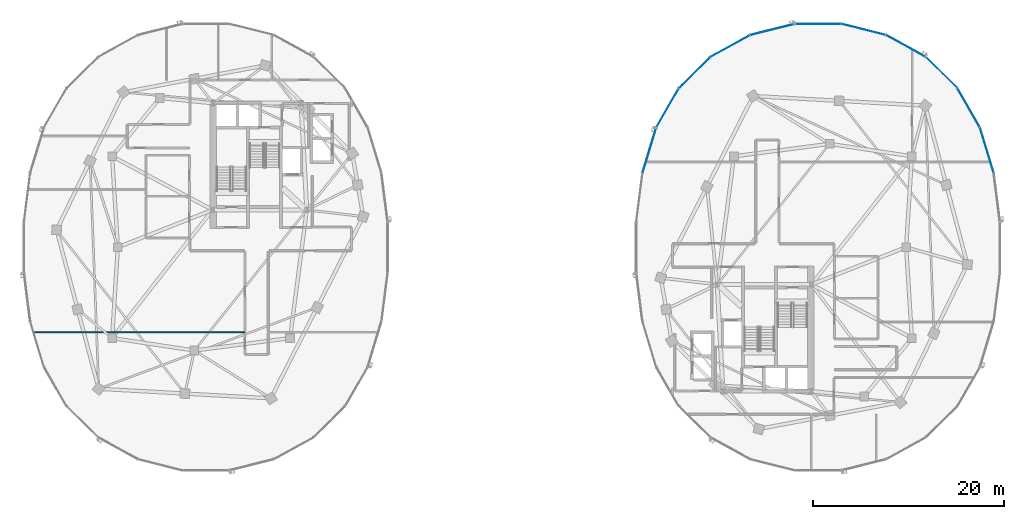
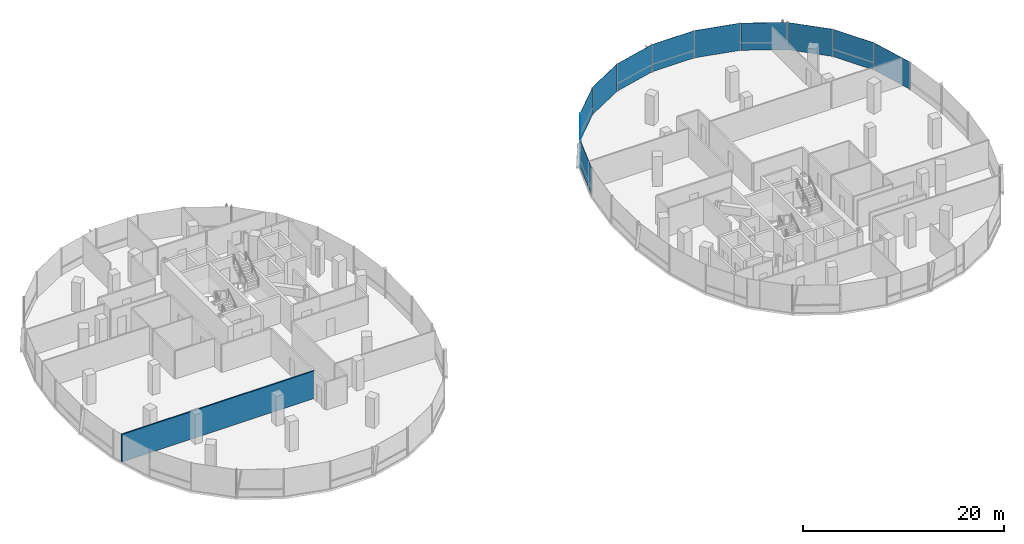
# One storey, part 11 of 22: 11 plates, 1 wall, 2 elements without a shape of their own.
"""IFC4 building model written with IfcOpenShell, lengths in metres."""

from ifc_helpers import new_model, si_unit, direction, frame, frame_2d, origin, origin_2d, place, context, subcontext, project, spatial, rectangle, extrude, material, layer, layer_set, type_object, element, aggregate, save


model = new_model("IFC4")

# Units and contexts
model_context = context("Model", 3, precision=1e-05, world=origin(), true_north=direction((0.0, 1.0)))
body_context = subcontext(model_context, "Body", "Model", "MODEL_VIEW")
ifc_project = project(units=[si_unit("LENGTHUNIT", "METRE"), si_unit("AREAUNIT", "SQUARE_METRE"), si_unit("VOLUMEUNIT", "CUBIC_METRE"), si_unit("PLANEANGLEUNIT", "RADIAN"), si_unit("MASSUNIT", "GRAM", prefix="KILO"), si_unit("THERMODYNAMICTEMPERATUREUNIT", "KELVIN"), si_unit("POWERUNIT", "WATT")], contexts=[model_context])

# Site, building, storey
site_placement = place(None, origin())
site = spatial("IfcSite", under=ifc_project, at=site_placement, CompositionType="ELEMENT")
building_placement = place(site_placement, origin())
building = spatial("IfcBuilding", under=site, at=building_placement, Name="Cundina Bronze Exchange", CompositionType="ELEMENT")
storey_placement = place(building_placement, frame((0.0, 0.0, 162.0)))
storey = spatial("IfcBuildingStorey", under=building, at=storey_placement, Name="L42", CompositionType="ELEMENT", Elevation=162.0)

# Curtain wall, plates
ifc_material_1 = material(Name="Anodised Bronze Aluminium 6063-T6", Category="aluminium")
curtain_wall_type = type_object("IfcCurtainWallType", Name="CWS-WST-PIN", PredefinedType="NOTDEFINED", material=ifc_material_1)
curtain_wall_1_placement = place(storey_placement, origin())
curtain_wall_1 = element("IfcCurtainWall", 1, at=curtain_wall_1_placement, inside=storey, type_object=curtain_wall_type, Name="L42 CW-04 Curtain Wall Run CWR-L42-E1", PredefinedType="NOTDEFINED")
ifc_material_2 = material(Name="Heat-Strengthened Solar-Control Bronze Safety Glass 28mm", Category="glass")
ifc_layer_1 = layer(ifc_material_2, 0.028076171875, Name="Heat-Strengthened Solar-Control Bronze Safety Glass 28mm", Category="glass")
ifc_layer_set_1 = layer_set([ifc_layer_1], Name="Heat-Strengthened Solar-Control Bronze Safety Glass 28mm")
plate_type_1 = type_object("IfcPlateType", Name="PLT-GLZ-VIS28", PredefinedType="CURTAIN_PANEL", material=ifc_layer_set_1)
plate_1_placement = place(storey_placement, frame((49.63330078125, 10.14208984375, 0.02001953125), z_axis=(0.0, 0.0, 1.0), x_axis=(-0.290050843957, 0.957011237092, 0.0)))
plate_1 = element("IfcPlate", 2, at=plate_1_placement, type_object=plate_type_1, Name="CW-04 Glazed Panel 2", PredefinedType="CURTAIN_PANEL", context=body_context, shape_type="SweptSolid", body=[
    extrude(rectangle(XDim=4.885009765625, YDim=0.028076171875, at=origin_2d()), origin(), (0.0, 0.0, 1.0), 3.320068359375),
])
plate_2_placement = place(storey_placement, frame((44.894775390625, 18.253662109375, 0.02001953125), z_axis=(0.0, 0.0, 1.0), x_axis=(-0.711989280367, 0.702190333629, 0.0)))
plate_2 = element("IfcPlate", 3, at=plate_2_placement, type_object=plate_type_1, Name="CW-04 Glazed Panel 4", PredefinedType="CURTAIN_PANEL", context=body_context, shape_type="SweptSolid", body=[
    extrude(rectangle(XDim=4.6025390625, YDim=0.028076171875, at=origin_2d()), origin(), (0.0, 0.0, 1.0), 3.320068359375),
])
plate_3_placement = place(storey_placement, frame((41.16845703125, 21.02880859375, 0.02001953125), z_axis=(0.0, 0.0, 1.0), x_axis=(-0.875869093438, 0.482548786301, 0.0)))
plate_3 = element("IfcPlate", 4, at=plate_3_placement, type_object=plate_type_1, Name="CW-04 Glazed Panel 5", PredefinedType="CURTAIN_PANEL", context=body_context, shape_type="SweptSolid", body=[
    extrude(rectangle(XDim=4.661865234375, YDim=0.028076171875, at=origin_2d()), origin(), (0.0, 0.0, 1.0), 3.320068359375),
])
plate_4_placement = place(storey_placement, frame((36.76513671875, 22.75244140625, 0.02001953125), z_axis=(0.0, 0.0, 1.0), x_axis=(-0.970092713791, 0.242734683656, 0.0)))
plate_4 = element("IfcPlate", 5, at=plate_4_placement, type_object=plate_type_1, Name="CW-04 Glazed Panel 6", PredefinedType="CURTAIN_PANEL", context=body_context, shape_type="SweptSolid", body=[
    extrude(rectangle(XDim=4.7548828125, YDim=0.028076171875, at=origin_2d()), origin(), (0.0, 0.0, 1.0), 3.320068359375),
])
plate_5_placement = place(storey_placement, frame((32.0, 23.3369140625, 0.02001953125), z_axis=(0.0, 0.0, 1.0), x_axis=(-1.0, 0.0, 0.0)))
plate_5 = element("IfcPlate", 6, at=plate_5_placement, type_object=plate_type_1, Name="CW-04 Glazed Panel 7", PredefinedType="CURTAIN_PANEL", context=body_context, shape_type="SweptSolid", body=[
    extrude(rectangle(XDim=4.7958984375, YDim=0.028076171875, at=origin_2d()), origin(), (0.0, 0.0, 1.0), 3.320068359375),
])

curtain_wall_2_placement = place(storey_placement, origin())
curtain_wall_2 = element("IfcCurtainWall", 7, at=curtain_wall_2_placement, inside=storey, type_object=curtain_wall_type, Name="L42 CW-04 Curtain Wall Run CWR-L42-E2", PredefinedType="NOTDEFINED")
plate_6_placement = place(storey_placement, frame((27.23486328125, 22.75244140625, 0.02001953125), z_axis=(0.0, 0.0, 1.0), x_axis=(-0.970092713791, -0.242734683656, 0.0)))
plate_6 = element("IfcPlate", 8, at=plate_6_placement, type_object=plate_type_1, Name="CW-04 Glazed Panel 1", PredefinedType="CURTAIN_PANEL", context=body_context, shape_type="SweptSolid", body=[
    extrude(rectangle(XDim=4.7548828125, YDim=0.028076171875, at=origin_2d()), origin(), (0.0, 0.0, 1.0), 3.320068359375),
])
plate_7_placement = place(storey_placement, frame((19.105224609375, 18.253662109375, 0.02001953125), z_axis=(0.0, 0.0, 1.0), x_axis=(-0.711989280367, -0.702190333629, 0.0)))
plate_7 = element("IfcPlate", 9, at=plate_7_placement, type_object=plate_type_1, Name="CW-04 Glazed Panel 3", PredefinedType="CURTAIN_PANEL", context=body_context, shape_type="SweptSolid", body=[
    extrude(rectangle(XDim=4.6025390625, YDim=0.028076171875, at=origin_2d()), origin(), (0.0, 0.0, 1.0), 3.320068359375),
])
plate_8_placement = place(storey_placement, frame((16.265625, 14.564697265625, 0.02001953125), z_axis=(0.0, 0.0, 1.0), x_axis=(-0.498487739754, -0.866896748936, 0.0)))
plate_8 = element("IfcPlate", 10, at=plate_8_placement, type_object=plate_type_1, Name="CW-04 Glazed Panel 4", PredefinedType="CURTAIN_PANEL", context=body_context, shape_type="SweptSolid", body=[
    extrude(rectangle(XDim=4.676513671875, YDim=0.028076171875, at=origin_2d()), origin(), (0.0, 0.0, 1.0), 3.320068359375),
])
plate_9_placement = place(storey_placement, frame((14.36669921875, 10.14208984375, 0.02001953125), z_axis=(0.0, 0.0, 1.0), x_axis=(-0.290050843957, -0.957011237092, 0.0)))
plate_9 = element("IfcPlate", 11, at=plate_9_placement, type_object=plate_type_1, Name="CW-04 Glazed Panel 5", PredefinedType="CURTAIN_PANEL", context=body_context, shape_type="SweptSolid", body=[
    extrude(rectangle(XDim=4.885009765625, YDim=0.028076171875, at=origin_2d()), origin(), (0.0, 0.0, 1.0), 3.320068359375),
])

# Plate
ifc_material_3 = material(Name="Dark Bronze Spandrel Glass Panel 32mm", Category="glass")
ifc_layer_2 = layer(ifc_material_3, 0.031982421875, Name="Dark Bronze Spandrel Glass Panel 32mm", Category="glass")
ifc_layer_set_2 = layer_set([ifc_layer_2], Name="Dark Bronze Spandrel Glass Panel 32mm")
plate_type_2 = type_object("IfcPlateType", Name="PLT-SPN-BRZ32", PredefinedType="CURTAIN_PANEL", material=ifc_layer_set_2)
plate_10_placement = place(storey_placement, frame((47.734375, 14.564697265625, 0.02001953125), z_axis=(0.0, 0.0, 1.0), x_axis=(-0.498487739754, 0.866896748936, 0.0)))
plate_10 = element("IfcPlate", 12, at=plate_10_placement, type_object=plate_type_2, Name="CW-04 Glazed Panel 3", PredefinedType="CURTAIN_PANEL", context=body_context, shape_type="SweptSolid", body=[
    extrude(rectangle(XDim=4.676513671875, YDim=0.031982421875, at=origin_2d()), origin(), (0.0, 0.0, 1.0), 3.320068359375),
])

aggregate(curtain_wall_1, [plate_1, plate_10, plate_2, plate_3, plate_4, plate_5])

plate_11_placement = place(storey_placement, frame((22.83154296875, 21.02880859375, 0.02001953125), z_axis=(0.0, 0.0, 1.0), x_axis=(-0.875869093438, -0.482548786301, 0.0)))
plate_11 = element("IfcPlate", 13, at=plate_11_placement, type_object=plate_type_2, Name="CW-04 Glazed Panel 2", PredefinedType="CURTAIN_PANEL", context=body_context, shape_type="SweptSolid", body=[
    extrude(rectangle(XDim=4.661865234375, YDim=0.031982421875, at=origin_2d()), origin(), (0.0, 0.0, 1.0), 3.320068359375),
])

aggregate(curtain_wall_2, [plate_6, plate_11, plate_7, plate_8, plate_9])

# Wall
ifc_material_4 = material(Name="Gypsum Acoustic Partition EI60")
ifc_layer_3 = layer(ifc_material_4, 0.14990234375, Name="Gypsum Acoustic Partition EI60")
ifc_layer_set_3 = layer_set([ifc_layer_3], Name="Gypsum Acoustic Partition EI60")
wall_type = type_object("IfcWallType", Name="WL-TEN-150", PredefinedType="PARTITIONING", material=ifc_layer_set_3)
wall_placement = place(storey_placement, frame((-50.081787109375, -8.889892578125, 0.0), z_axis=(0.0, 0.0, 1.0), x_axis=(1.0, 0.0, 0.0)))
element("IfcWall", 14, at=wall_placement, inside=storey, type_object=wall_type, Name="L42 Interior Partition 016", PredefinedType="PARTITIONING", context=body_context, shape_type="SweptSolid", body=[
    extrude(rectangle(XDim=22.1318359375, YDim=0.14990234375, at=frame_2d((11.06591796875, 0.0))), origin(), (0.0, 0.0, 1.0), 3.360107421875),
])

save(model, "model.ifc")
